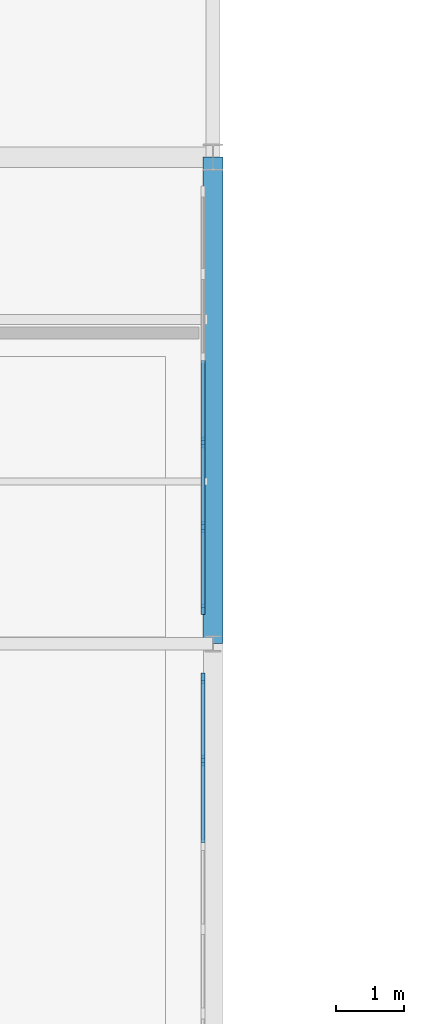
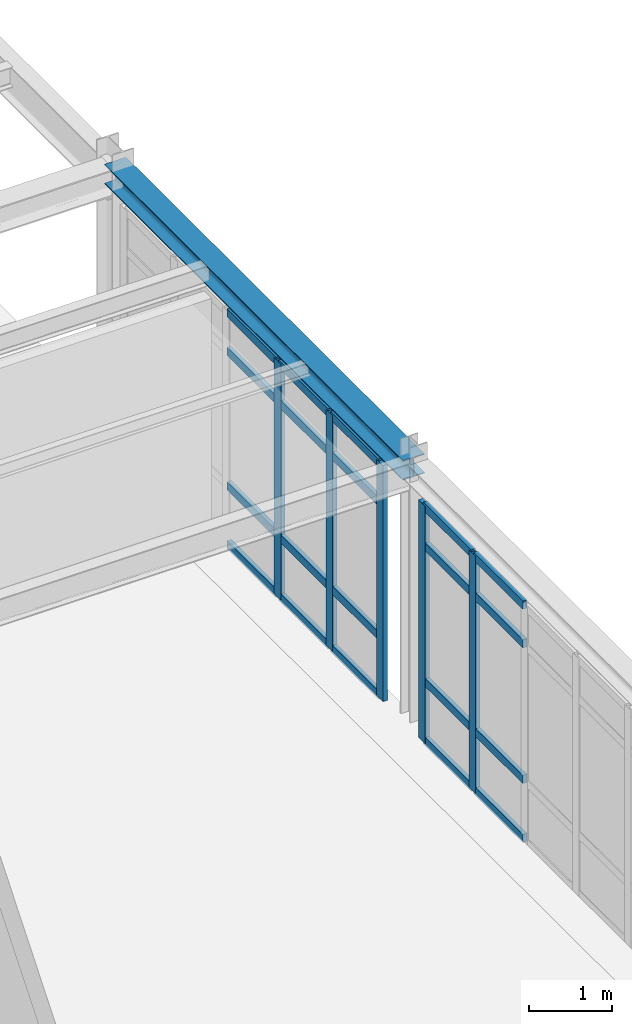
# One storey, part 19 of 58: 25 members, 1 beam, 2 elements without a shape of their own.
"""IFC4 building model written with IfcOpenShell, lengths in metres."""

from ifc_helpers import new_model, si_unit, derived_unit, direction, frame, origin, origin_2d, place, context, subcontext, project, spatial, rectangle, i_section, extrude, material, layer, layer_set, material_profile, profile_set, type_object, element, aggregate, save


model = new_model("IFC4")

# Units and contexts
model_context = context("Model", 3, precision=1e-05, world=origin(), true_north=direction((0.0, 1.0)))
body_context = subcontext(model_context, "Body", "Model", "MODEL_VIEW")
ifc_project = project(units=[si_unit("LENGTHUNIT", "METRE"), si_unit("AREAUNIT", "SQUARE_METRE"), si_unit("VOLUMEUNIT", "CUBIC_METRE"), si_unit("PLANEANGLEUNIT", "RADIAN"), si_unit("MASSUNIT", "GRAM", prefix="KILO"), derived_unit("THERMALTRANSMITTANCEUNIT", [(si_unit("POWERUNIT", "WATT"), 1), (si_unit("AREAUNIT", "SQUARE_METRE"), -1), (si_unit("THERMODYNAMICTEMPERATUREUNIT", "KELVIN"), -1)])], contexts=[model_context])

# Site, building, storey
site_placement = place(None, origin())
site = spatial("IfcSite", under=ifc_project, at=site_placement, CompositionType="ELEMENT")
building_placement = place(site_placement, origin())
building = spatial("IfcBuilding", under=site, at=building_placement, Name="Yasenodar Specialist Clinic", CompositionType="ELEMENT")
storey_placement = place(building_placement, frame((0.0, 0.0, 17.25)))
storey = spatial("IfcBuildingStorey", under=building, at=storey_placement, Name="L04", CompositionType="ELEMENT", Elevation=17.25)

# Beam
ifc_material_1 = material(Name="Steel S355", Category="steel")
ifc_material_profile_1 = material_profile(ifc_material_1, i_section(OverallWidth=0.300048828125, OverallDepth=0.2900390625, WebThickness=0.008544921875, FlangeThickness=0.013916015625, FilletRadius=0.027099609375, at=origin_2d()), Name="HEA 300")
ifc_profile_set_1 = profile_set([ifc_material_profile_1], Name="Steel S355")
beam_type = type_object("IfcBeamType", Name="BM-HEA300", PredefinedType="BEAM", material=ifc_profile_set_1)
beam_placement = place(storey_placement, frame((16.800048828125, 90.0, 3.655029296875), z_axis=(0.0, 1.0, 0.0), x_axis=(-1.0, 0.0, 0.0)))
element("IfcBeam", 1, at=beam_placement, inside=storey, type_object=beam_type, Name="L04 Primary N-S Girder", PredefinedType="BEAM", context=body_context, shape_type="SweptSolid", body=[
    extrude(i_section(OverallWidth=0.300048828125, OverallDepth=0.2900390625, WebThickness=0.008544921875, FlangeThickness=0.013916015625, FilletRadius=0.027099609375, at=origin_2d()), origin(), (0.0, 0.0, 1.0), 7.199951171875),
])

# Curtain wall, members
ifc_material_2 = material(Name="Bronze Anodized Aluminium and Triple Low-E Glass", Category="aluminium")
ifc_layer = layer(ifc_material_2, 0.202880859375)
ifc_layer_set = layer_set([ifc_layer], Name="Bronze Anodized Aluminium and Triple Low-E Glass")
curtain_wall_type = type_object("IfcCurtainWallType", Name="CW-SYS-04", PredefinedType="USERDEFINED", material=ifc_layer_set)
curtain_wall_1_placement = place(storey_placement, origin())
curtain_wall_1 = element("IfcCurtainWall", 2, at=curtain_wall_1_placement, inside=storey, type_object=curtain_wall_type, Name="L04 Unitised Curtain Wall 136", ObjectType="UNITISED CURTAIN WALL", PredefinedType="USERDEFINED")
ifc_material_3 = material(Name="Bronze Anodized Aluminium", Category="aluminium")
ifc_material_profile_2 = material_profile(ifc_material_3, rectangle(XDim=0.06005859375, YDim=0.159912109375, at=origin_2d()), Name="CW-MULL 60x160")
ifc_profile_set_2 = profile_set([ifc_material_profile_2], Name="Bronze Anodized Aluminium")
member_type_1 = type_object("IfcMemberType", Name="CW-MULL-160", PredefinedType="MULLION", material=ifc_profile_set_2)
member_1_placement = place(storey_placement, frame((16.64990234375, 92.97607421875, 0.0), z_axis=(0.0, 0.0, 1.0), x_axis=(1.0, 0.0, 0.0)))
member_1 = element("IfcMember", 3, at=member_1_placement, type_object=member_type_1, Name="CW-04 mullion 4", PredefinedType="MULLION", context=body_context, shape_type="SweptSolid", body=[
    extrude(rectangle(XDim=0.06005859375, YDim=0.159912109375, at=origin_2d()), origin(), (0.0, 0.0, 1.0), 3.47802734375),
])
member_2_placement = place(storey_placement, frame((16.64990234375, 91.72802734375, 0.0), z_axis=(0.0, 0.0, 1.0), x_axis=(1.0, 0.0, 0.0)))
member_2 = element("IfcMember", 4, at=member_2_placement, type_object=member_type_1, Name="CW-04 mullion 5", PredefinedType="MULLION", context=body_context, shape_type="SweptSolid", body=[
    extrude(rectangle(XDim=0.06005859375, YDim=0.159912109375, at=origin_2d()), origin(), (0.0, 0.0, 1.0), 3.47802734375),
])
member_3_placement = place(storey_placement, frame((16.64990234375, 90.510009765625, 0.0), z_axis=(0.0, 0.0, 1.0), x_axis=(1.0, 0.0, 0.0)))
member_3 = element("IfcMember", 5, at=member_3_placement, type_object=member_type_1, Name="CW-04 mullion 6", PredefinedType="MULLION", context=body_context, shape_type="SweptSolid", body=[
    extrude(rectangle(XDim=0.06005859375, YDim=0.159912109375, at=origin_2d()), origin(), (0.0, 0.0, 1.0), 3.47802734375),
])

curtain_wall_2_placement = place(storey_placement, origin())
curtain_wall_2 = element("IfcCurtainWall", 6, at=curtain_wall_2_placement, inside=storey, type_object=curtain_wall_type, Name="L04 Unitised Curtain Wall 137", ObjectType="UNITISED CURTAIN WALL", PredefinedType="USERDEFINED")
member_4_placement = place(storey_placement, frame((16.64990234375, 89.489990234375, 0.0), z_axis=(0.0, 0.0, 1.0), x_axis=(1.0, 0.0, 0.0)))
member_4 = element("IfcMember", 7, at=member_4_placement, type_object=member_type_1, Name="CW-04 mullion 1", PredefinedType="MULLION", context=body_context, shape_type="SweptSolid", body=[
    extrude(rectangle(XDim=0.06005859375, YDim=0.159912109375, at=origin_2d()), origin(), (0.0, 0.0, 1.0), 3.498046875),
])
member_5_placement = place(storey_placement, frame((16.64990234375, 88.27197265625, 0.0), z_axis=(0.0, 0.0, 1.0), x_axis=(1.0, 0.0, 0.0)))
member_5 = element("IfcMember", 8, at=member_5_placement, type_object=member_type_1, Name="CW-04 mullion 2", PredefinedType="MULLION", context=body_context, shape_type="SweptSolid", body=[
    extrude(rectangle(XDim=0.06005859375, YDim=0.159912109375, at=origin_2d()), origin(), (0.0, 0.0, 1.0), 3.498046875),
])

# Member
ifc_material_profile_3 = material_profile(ifc_material_3, rectangle(XDim=0.06005859375, YDim=0.1201171875, at=origin_2d()), Name="CW-TRAN 60x120")
ifc_profile_set_3 = profile_set([ifc_material_profile_3], Name="Bronze Anodized Aluminium")
member_type_2 = type_object("IfcMemberType", Name="CW-TRAN-120", PredefinedType="USERDEFINED", material=ifc_profile_set_3)
member_6_placement = place(storey_placement, frame((16.64990234375, 94.194091796875, 0.030029296875), z_axis=(0.0, -1.0, 0.0), x_axis=(1.0, 0.0, 0.0)))
member_6 = element("IfcMember", 9, at=member_6_placement, type_object=member_type_2, Name="CW-04 transom 3.1", ObjectType="TRANSOM", PredefinedType="USERDEFINED", context=body_context, shape_type="SweptSolid", body=[
    extrude(rectangle(XDim=0.06005859375, YDim=0.1201171875, at=origin_2d()), origin(), (0.0, 0.0, 1.0), 1.18798828125),
])

member_7_placement = place(storey_placement, frame((16.64990234375, 94.194091796875, 0.89990234375), z_axis=(0.0, -1.0, 0.0), x_axis=(1.0, 0.0, 0.0)))
member_7 = element("IfcMember", 10, at=member_7_placement, type_object=member_type_2, Name="CW-04 transom 3.2", ObjectType="TRANSOM", PredefinedType="USERDEFINED", context=body_context, shape_type="SweptSolid", body=[
    extrude(rectangle(XDim=0.06005859375, YDim=0.1201171875, at=origin_2d()), origin(), (0.0, 0.0, 1.0), 1.18798828125),
])

member_8_placement = place(storey_placement, frame((16.64990234375, 94.194091796875, 2.8779296875), z_axis=(0.0, -1.0, 0.0), x_axis=(1.0, 0.0, 0.0)))
member_8 = element("IfcMember", 11, at=member_8_placement, type_object=member_type_2, Name="CW-04 transom 3.3", ObjectType="TRANSOM", PredefinedType="USERDEFINED", context=body_context, shape_type="SweptSolid", body=[
    extrude(rectangle(XDim=0.06005859375, YDim=0.1201171875, at=origin_2d()), origin(), (0.0, 0.0, 1.0), 1.18798828125),
])

member_9_placement = place(storey_placement, frame((16.64990234375, 94.194091796875, 3.447998046875), z_axis=(0.0, -1.0, 0.0), x_axis=(1.0, 0.0, 0.0)))
member_9 = element("IfcMember", 12, at=member_9_placement, type_object=member_type_2, Name="CW-04 transom 3.4", ObjectType="TRANSOM", PredefinedType="USERDEFINED", context=body_context, shape_type="SweptSolid", body=[
    extrude(rectangle(XDim=0.06005859375, YDim=0.1201171875, at=origin_2d()), origin(), (0.0, 0.0, 1.0), 1.18798828125),
])

member_10_placement = place(storey_placement, frame((16.64990234375, 92.946044921875, 0.030029296875), z_axis=(0.0, -1.0, 0.0), x_axis=(1.0, 0.0, 0.0)))
member_10 = element("IfcMember", 13, at=member_10_placement, type_object=member_type_2, Name="CW-04 transom 4.1", ObjectType="TRANSOM", PredefinedType="USERDEFINED", context=body_context, shape_type="SweptSolid", body=[
    extrude(rectangle(XDim=0.06005859375, YDim=0.1201171875, at=origin_2d()), origin(), (0.0, 0.0, 1.0), 1.18798828125),
])

member_11_placement = place(storey_placement, frame((16.64990234375, 92.946044921875, 0.89990234375), z_axis=(0.0, -1.0, 0.0), x_axis=(1.0, 0.0, 0.0)))
member_11 = element("IfcMember", 14, at=member_11_placement, type_object=member_type_2, Name="CW-04 transom 4.2", ObjectType="TRANSOM", PredefinedType="USERDEFINED", context=body_context, shape_type="SweptSolid", body=[
    extrude(rectangle(XDim=0.06005859375, YDim=0.1201171875, at=origin_2d()), origin(), (0.0, 0.0, 1.0), 1.18798828125),
])

member_12_placement = place(storey_placement, frame((16.64990234375, 92.946044921875, 2.8779296875), z_axis=(0.0, -1.0, 0.0), x_axis=(1.0, 0.0, 0.0)))
member_12 = element("IfcMember", 15, at=member_12_placement, type_object=member_type_2, Name="CW-04 transom 4.3", ObjectType="TRANSOM", PredefinedType="USERDEFINED", context=body_context, shape_type="SweptSolid", body=[
    extrude(rectangle(XDim=0.06005859375, YDim=0.1201171875, at=origin_2d()), origin(), (0.0, 0.0, 1.0), 1.18798828125),
])

member_13_placement = place(storey_placement, frame((16.64990234375, 92.946044921875, 3.447998046875), z_axis=(0.0, -1.0, 0.0), x_axis=(1.0, 0.0, 0.0)))
member_13 = element("IfcMember", 16, at=member_13_placement, type_object=member_type_2, Name="CW-04 transom 4.4", ObjectType="TRANSOM", PredefinedType="USERDEFINED", context=body_context, shape_type="SweptSolid", body=[
    extrude(rectangle(XDim=0.06005859375, YDim=0.1201171875, at=origin_2d()), origin(), (0.0, 0.0, 1.0), 1.18798828125),
])

member_14_placement = place(storey_placement, frame((16.64990234375, 91.697998046875, 0.030029296875), z_axis=(0.0, -1.0, 0.0), x_axis=(1.0, 0.0, 0.0)))
member_14 = element("IfcMember", 17, at=member_14_placement, type_object=member_type_2, Name="CW-04 transom 5.1", ObjectType="TRANSOM", PredefinedType="USERDEFINED", context=body_context, shape_type="SweptSolid", body=[
    extrude(rectangle(XDim=0.06005859375, YDim=0.1201171875, at=origin_2d()), origin(), (0.0, 0.0, 1.0), 1.157958984375),
])

member_15_placement = place(storey_placement, frame((16.64990234375, 91.697998046875, 0.89990234375), z_axis=(0.0, -1.0, 0.0), x_axis=(1.0, 0.0, 0.0)))
member_15 = element("IfcMember", 18, at=member_15_placement, type_object=member_type_2, Name="CW-04 transom 5.2", ObjectType="TRANSOM", PredefinedType="USERDEFINED", context=body_context, shape_type="SweptSolid", body=[
    extrude(rectangle(XDim=0.06005859375, YDim=0.1201171875, at=origin_2d()), origin(), (0.0, 0.0, 1.0), 1.157958984375),
])

member_16_placement = place(storey_placement, frame((16.64990234375, 91.697998046875, 2.8779296875), z_axis=(0.0, -1.0, 0.0), x_axis=(1.0, 0.0, 0.0)))
member_16 = element("IfcMember", 19, at=member_16_placement, type_object=member_type_2, Name="CW-04 transom 5.3", ObjectType="TRANSOM", PredefinedType="USERDEFINED", context=body_context, shape_type="SweptSolid", body=[
    extrude(rectangle(XDim=0.06005859375, YDim=0.1201171875, at=origin_2d()), origin(), (0.0, 0.0, 1.0), 1.157958984375),
])

member_17_placement = place(storey_placement, frame((16.64990234375, 91.697998046875, 3.447998046875), z_axis=(0.0, -1.0, 0.0), x_axis=(1.0, 0.0, 0.0)))
member_17 = element("IfcMember", 20, at=member_17_placement, type_object=member_type_2, Name="CW-04 transom 5.4", ObjectType="TRANSOM", PredefinedType="USERDEFINED", context=body_context, shape_type="SweptSolid", body=[
    extrude(rectangle(XDim=0.06005859375, YDim=0.1201171875, at=origin_2d()), origin(), (0.0, 0.0, 1.0), 1.157958984375),
])

aggregate(curtain_wall_1, [member_1, member_2, member_3, member_6, member_7, member_8, member_9, member_10, member_11, member_12, member_13, member_14, member_15, member_16, member_17])

member_18_placement = place(storey_placement, frame((16.64990234375, 89.4599609375, 0.030029296875), z_axis=(0.0, -1.0, 0.0), x_axis=(1.0, 0.0, 0.0)))
member_18 = element("IfcMember", 21, at=member_18_placement, type_object=member_type_2, Name="CW-04 transom 1.1", ObjectType="TRANSOM", PredefinedType="USERDEFINED", context=body_context, shape_type="SweptSolid", body=[
    extrude(rectangle(XDim=0.06005859375, YDim=0.1201171875, at=origin_2d()), origin(), (0.0, 0.0, 1.0), 1.157958984375),
])

member_19_placement = place(storey_placement, frame((16.64990234375, 89.4599609375, 0.89990234375), z_axis=(0.0, -1.0, 0.0), x_axis=(1.0, 0.0, 0.0)))
member_19 = element("IfcMember", 22, at=member_19_placement, type_object=member_type_2, Name="CW-04 transom 1.2", ObjectType="TRANSOM", PredefinedType="USERDEFINED", context=body_context, shape_type="SweptSolid", body=[
    extrude(rectangle(XDim=0.06005859375, YDim=0.1201171875, at=origin_2d()), origin(), (0.0, 0.0, 1.0), 1.157958984375),
])

member_20_placement = place(storey_placement, frame((16.64990234375, 89.4599609375, 2.89794921875), z_axis=(0.0, -1.0, 0.0), x_axis=(1.0, 0.0, 0.0)))
member_20 = element("IfcMember", 23, at=member_20_placement, type_object=member_type_2, Name="CW-04 transom 1.3", ObjectType="TRANSOM", PredefinedType="USERDEFINED", context=body_context, shape_type="SweptSolid", body=[
    extrude(rectangle(XDim=0.06005859375, YDim=0.1201171875, at=origin_2d()), origin(), (0.0, 0.0, 1.0), 1.157958984375),
])

member_21_placement = place(storey_placement, frame((16.64990234375, 89.4599609375, 3.468017578125), z_axis=(0.0, -1.0, 0.0), x_axis=(1.0, 0.0, 0.0)))
member_21 = element("IfcMember", 24, at=member_21_placement, type_object=member_type_2, Name="CW-04 transom 1.4", ObjectType="TRANSOM", PredefinedType="USERDEFINED", context=body_context, shape_type="SweptSolid", body=[
    extrude(rectangle(XDim=0.06005859375, YDim=0.1201171875, at=origin_2d()), origin(), (0.0, 0.0, 1.0), 1.157958984375),
])

member_22_placement = place(storey_placement, frame((16.64990234375, 88.241943359375, 0.030029296875), z_axis=(0.0, -1.0, 0.0), x_axis=(1.0, 0.0, 0.0)))
member_22 = element("IfcMember", 25, at=member_22_placement, type_object=member_type_2, Name="CW-04 transom 2.1", ObjectType="TRANSOM", PredefinedType="USERDEFINED", context=body_context, shape_type="SweptSolid", body=[
    extrude(rectangle(XDim=0.06005859375, YDim=0.1201171875, at=origin_2d()), origin(), (0.0, 0.0, 1.0), 1.18798828125),
])

member_23_placement = place(storey_placement, frame((16.64990234375, 88.241943359375, 0.89990234375), z_axis=(0.0, -1.0, 0.0), x_axis=(1.0, 0.0, 0.0)))
member_23 = element("IfcMember", 26, at=member_23_placement, type_object=member_type_2, Name="CW-04 transom 2.2", ObjectType="TRANSOM", PredefinedType="USERDEFINED", context=body_context, shape_type="SweptSolid", body=[
    extrude(rectangle(XDim=0.06005859375, YDim=0.1201171875, at=origin_2d()), origin(), (0.0, 0.0, 1.0), 1.18798828125),
])

member_24_placement = place(storey_placement, frame((16.64990234375, 88.241943359375, 2.89794921875), z_axis=(0.0, -1.0, 0.0), x_axis=(1.0, 0.0, 0.0)))
member_24 = element("IfcMember", 27, at=member_24_placement, type_object=member_type_2, Name="CW-04 transom 2.3", ObjectType="TRANSOM", PredefinedType="USERDEFINED", context=body_context, shape_type="SweptSolid", body=[
    extrude(rectangle(XDim=0.06005859375, YDim=0.1201171875, at=origin_2d()), origin(), (0.0, 0.0, 1.0), 1.18798828125),
])

member_25_placement = place(storey_placement, frame((16.64990234375, 88.241943359375, 3.468017578125), z_axis=(0.0, -1.0, 0.0), x_axis=(1.0, 0.0, 0.0)))
member_25 = element("IfcMember", 28, at=member_25_placement, type_object=member_type_2, Name="CW-04 transom 2.4", ObjectType="TRANSOM", PredefinedType="USERDEFINED", context=body_context, shape_type="SweptSolid", body=[
    extrude(rectangle(XDim=0.06005859375, YDim=0.1201171875, at=origin_2d()), origin(), (0.0, 0.0, 1.0), 1.18798828125),
])

aggregate(curtain_wall_2, [member_4, member_5, member_18, member_19, member_20, member_21, member_22, member_23, member_24, member_25])

save(model, "model.ifc")
